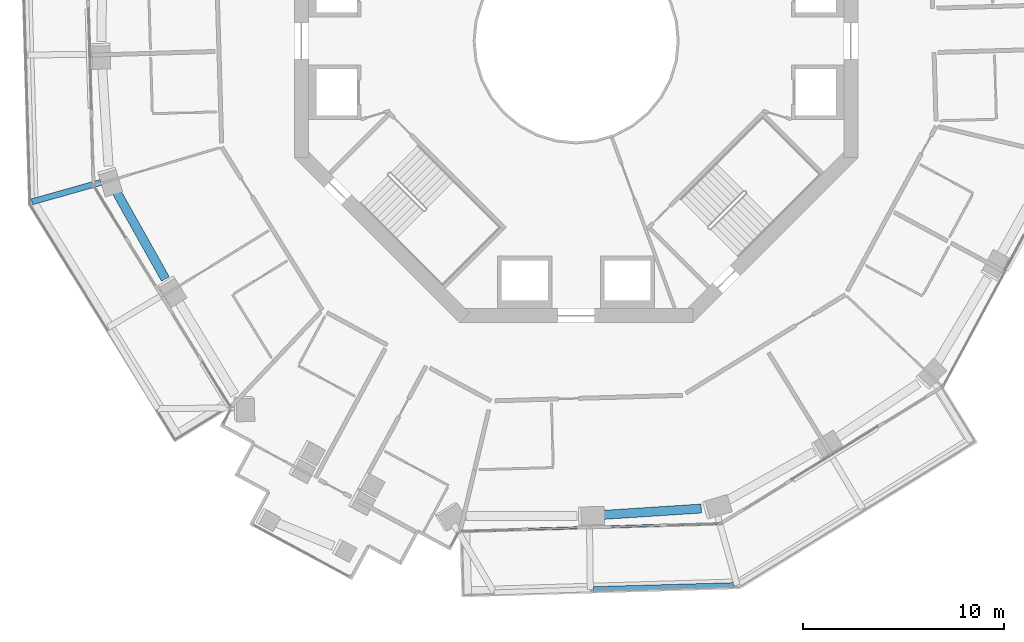
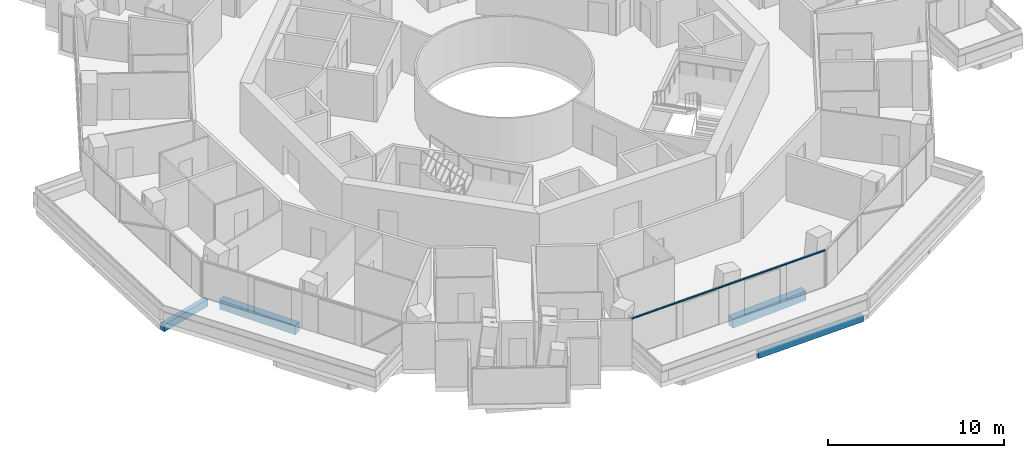
# One storey, part 3 of 22: 4 beams, 1 member, 1 element without a shape of its own.
"""IFC4 building model written with IfcOpenShell, lengths in metres."""

import ifcopenshell
import ifcopenshell.guid

model = None  # the IFC model being written
_history = None  # IfcOwnerHistory: only IFC2X3 demands one
_inside = {}  # id of a spatial element -> (the spatial element, [elements in it])
_under = {}  # id of a project, library or spatial element -> (it, [spatial elements below it])
_declared = {}  # id of a project -> (the project, [libraries it declares])
_typed = {}  # id of a type object -> (the type object, [elements of that type])
_made_of = {}  # id of a material, layer set ... -> (it, [elements and type objects made of it])


def new_model(schema):
    """Start an empty IFC model of exactly this schema.

    Asked for "IFC4X3", IfcOpenShell would pick the latest addendum, in which some entities
    have other attributes; the version numbers below select the first issue.
    IFC2X3 requires an IfcOwnerHistory on every rooted entity: one is made here for all.
    """
    global model, _history
    if schema == "IFC4X3":
        model = ifcopenshell.file(schema_version=(4, 3, 0, 0))
    else:
        model = ifcopenshell.file(schema=schema)
    _inside.clear()
    _under.clear()
    _declared.clear()
    _typed.clear()
    _made_of.clear()
    _history = None
    if model.schema == "IFC2X3":
        org = make("IfcOrganization", Name="unknown")
        user = make(
            "IfcPersonAndOrganization",
            ThePerson=make("IfcPerson", FamilyName="unknown"),
            TheOrganization=org,
        )
        app = make(
            "IfcApplication",
            ApplicationDeveloper=org,
            Version="unknown",
            ApplicationFullName="unknown",
            ApplicationIdentifier="unknown",
        )
        _history = make(
            "IfcOwnerHistory",
            OwningUser=user,
            OwningApplication=app,
            ChangeAction="ADDED",
            CreationDate=0,
        )
    return model


def make(cls, **values):
    """One entity of the class cls with the attributes given. An attribute that is None is left unset."""
    return model.create_entity(
        cls, **{name: value for name, value in values.items() if value is not None}
    )


def rooted(cls, **values):
    """An entity with a GlobalId (a new one), such as an element, a storey or a relation."""
    return make(cls, GlobalId=ifcopenshell.guid.new(), OwnerHistory=_history, **values)


def si_unit(unit_type, name, prefix=None):
    """IfcSIUnit, for example si_unit("LENGTHUNIT", "METRE", prefix="MILLI")."""
    return make("IfcSIUnit", UnitType=unit_type, Prefix=prefix, Name=name)


def assignment(units):
    """IfcUnitAssignment: the units of a project."""
    return None if units is None else make("IfcUnitAssignment", Units=units)


def point(xyz):
    """IfcCartesianPoint."""
    return None if xyz is None else make("IfcCartesianPoint", Coordinates=xyz)


def direction(xyz):
    """IfcDirection."""
    return None if xyz is None else make("IfcDirection", DirectionRatios=xyz)


def frame(location, z_axis=None, x_axis=None):
    """IfcAxis2Placement3D, a coordinate frame: its origin and axes. An axis left out is left unset."""
    return make(
        "IfcAxis2Placement3D",
        Location=point(location),
        Axis=direction(z_axis),
        RefDirection=direction(x_axis),
    )


def frame_2d(location, x_axis=None):
    """IfcAxis2Placement2D, a coordinate frame in the plane: its origin and x axis."""
    return make(
        "IfcAxis2Placement2D", Location=point(location), RefDirection=direction(x_axis)
    )


def origin():
    """The frame at (0, 0, 0) with its axes left unset."""
    return frame((0.0, 0.0, 0.0))


def origin_2d():
    """The frame at (0, 0) in the plane with its x axis left unset."""
    return frame_2d((0.0, 0.0))


def place(relative_to, where):
    """IfcLocalPlacement: puts the frame where relative to a parent placement (None: the world)."""
    return make(
        "IfcLocalPlacement", PlacementRelTo=relative_to, RelativePlacement=where
    )


def context(
    kind, dimensions, precision=None, world=None, true_north=None, identifier=None
):
    """IfcGeometricRepresentationContext, for example the 3D "Model" context."""
    return make(
        "IfcGeometricRepresentationContext",
        ContextIdentifier=identifier,
        ContextType=kind,
        CoordinateSpaceDimension=dimensions,
        Precision=precision,
        WorldCoordinateSystem=world,
        TrueNorth=true_north,
    )


def subcontext(parent, identifier, kind, view, scale=None):
    """IfcGeometricRepresentationSubContext, for example "Body" below "Model"."""
    return make(
        "IfcGeometricRepresentationSubContext",
        ContextIdentifier=identifier,
        ContextType=kind,
        ParentContext=parent,
        TargetScale=scale,
        TargetView=view,
    )


def project(units=None, contexts=None):
    """IfcProject with its units and contexts."""
    return rooted(
        "IfcProject",
        Name="project",
        RepresentationContexts=contexts,
        UnitsInContext=assignment(units),
    )


def spatial(cls, under=None, at=None, **own):
    """A site, building, storey or space (cls), placed at a placement, below another one or the project."""
    s = rooted(cls, ObjectPlacement=at, **own)
    if under is not None:
        _under.setdefault(under.id(), (under, []))[1].append(s)
    return s


def profile(cls, at=None, kind="AREA", **sizes):
    """A parametric profile (cls). Its sizes go by their IFC names, for example OverallWidth=200.0."""
    return make(cls, ProfileType=kind, Position=at, **sizes)


def rectangle(**sizes):
    """IfcRectangleProfileDef."""
    return profile("IfcRectangleProfileDef", **sizes)


def extrude(swept, where, along, depth):
    """IfcExtrudedAreaSolid: the profile swept, set in the frame where, extruded along a direction by depth."""
    return make(
        "IfcExtrudedAreaSolid",
        SweptArea=swept,
        Position=where,
        ExtrudedDirection=direction(along),
        Depth=depth,
    )


def shape(context_of_items, identifier, shape_type, items):
    """IfcShapeRepresentation: the items that make up one representation, for example the "Body"."""
    return make(
        "IfcShapeRepresentation",
        ContextOfItems=context_of_items,
        RepresentationIdentifier=identifier,
        RepresentationType=shape_type,
        Items=items,
    )


def material(Name=None, Category=None):
    """IfcMaterial."""
    return make("IfcMaterial", Name=Name, Category=Category)


def layer(
    of_material, thickness, ventilated=None, Name=None, Category=None, Priority=None
):
    """IfcMaterialLayer: one layer of a wall or slab, of a material (None: an air gap)."""
    return make(
        "IfcMaterialLayer",
        Material=of_material,
        LayerThickness=thickness,
        IsVentilated=ventilated,
        Name=Name,
        Category=Category,
        Priority=Priority,
    )


def layer_set(layers, Name=None):
    """IfcMaterialLayerSet."""
    return make("IfcMaterialLayerSet", MaterialLayers=layers, LayerSetName=Name)


def material_profile(
    of_material, cross_section, Name=None, Category=None, Priority=None
):
    """IfcMaterialProfile: a cross section and its material."""
    return make(
        "IfcMaterialProfile",
        Name=Name,
        Material=of_material,
        Profile=cross_section,
        Priority=Priority,
        Category=Category,
    )


def profile_set(profiles, Name=None, composite=None):
    """IfcMaterialProfileSet."""
    return make(
        "IfcMaterialProfileSet",
        Name=Name,
        MaterialProfiles=profiles,
        CompositeProfile=composite,
    )


def made_of(thing, what):
    """Note that an element or type object is made of a material, layer set ...; save() writes the relation."""
    if what is not None:
        _made_of.setdefault(what.id(), (what, []))[1].append(thing)
    return thing


def type_object(cls, material=None, **own):
    """A type object (cls), such as IfcWallType, which elements share."""
    return made_of(rooted(cls, **own), material)


def element(
    cls,
    number,
    at=None,
    inside=None,
    cuts=None,
    type_object=None,
    material=None,
    context=None,
    identifier="Body",
    shape_type=None,
    held_by="IfcProductDefinitionShape",
    body=None,
    shapes=None,
    **own,
):
    """One element of the class cls, such as IfcWall. Its Tag is "e" and its number.

    at: its placement. inside: the storey or other place that contains it. cuts: it is an
    opening in that element (IfcRelVoidsElement). A single representation is given by context,
    identifier, shape_type and body (its items); several are given by shapes. held_by: the class
    of the entity that holds the representations. save() writes the other relations.
    """
    e = rooted(cls, Tag="e%d" % number, ObjectPlacement=at, **own)
    if body is not None:
        shapes = [shape(context, identifier, shape_type, body)]
    if shapes is not None:
        e.Representation = make(held_by, Representations=shapes)
    if inside is not None:
        _inside.setdefault(inside.id(), (inside, []))[1].append(e)
    if cuts is not None:
        rooted(
            "IfcRelVoidsElement", RelatingBuildingElement=cuts, RelatedOpeningElement=e
        )
    if type_object is not None:
        _typed.setdefault(type_object.id(), (type_object, []))[1].append(e)
    return made_of(e, material)


def aggregate(whole, parts):
    """IfcRelAggregates: a whole, such as a stair, and the parts it consists of."""
    return rooted("IfcRelAggregates", RelatingObject=whole, RelatedObjects=parts)


def save(model, path):
    """Write the relations noted so far, then the file.

    IfcRelAggregates (storeys below a building ...), IfcRelContainedInSpatialStructure (elements
    in a storey), IfcRelDefinesByType, IfcRelAssociatesMaterial and IfcRelDeclares: one each for
    every whole, place, type object, material and project.
    """
    for whole, parts in _under.values():
        aggregate(whole, parts)
    for where, things in _inside.values():
        rooted(
            "IfcRelContainedInSpatialStructure",
            RelatedElements=things,
            RelatingStructure=where,
        )
    for kind, things in _typed.values():
        rooted("IfcRelDefinesByType", RelatedObjects=things, RelatingType=kind)
    for what, things in _made_of.values():
        rooted("IfcRelAssociatesMaterial", RelatedObjects=things, RelatingMaterial=what)
    for by, libraries in _declared.values():
        rooted("IfcRelDeclares", RelatingContext=by, RelatedDefinitions=libraries)
    model.write(path)


model = new_model("IFC4")

# Units and contexts
model_context = context("Model", 3, precision=1e-05, world=origin(), true_north=direction((0.0, 1.0)))
body_context = subcontext(model_context, "Body", "Model", "MODEL_VIEW")
ifc_project = project(units=[si_unit("LENGTHUNIT", "METRE"), si_unit("AREAUNIT", "SQUARE_METRE"), si_unit("VOLUMEUNIT", "CUBIC_METRE"), si_unit("PLANEANGLEUNIT", "RADIAN"), si_unit("MASSUNIT", "GRAM", prefix="KILO")], contexts=[model_context])

# Site, building, storey
site_placement = place(None, origin())
site = spatial("IfcSite", under=ifc_project, at=site_placement, CompositionType="ELEMENT")
building_placement = place(site_placement, origin())
building = spatial("IfcBuilding", under=site, at=building_placement, Name="Verdalira Terraces Hotel", CompositionType="ELEMENT")
storey_placement = place(building_placement, frame((0.0, 0.0, 162.0)))
storey = spatial("IfcBuildingStorey", under=building, at=storey_placement, Name="L39", CompositionType="ELEMENT", Elevation=162.0)

# Beams
ifc_material_1 = material(Name="Concrete C40", Category="concrete")
ifc_material_profile_1 = material_profile(ifc_material_1, rectangle(XDim=0.300049, YDim=0.5, at=origin_2d()), Name="RC 300X500")
ifc_profile_set_1 = profile_set([ifc_material_profile_1], Name="Concrete C40")
beam_type_1 = type_object("IfcBeamType", Name="Balcony cantilever beam RC 300X500 C40", PredefinedType="BEAM", material=ifc_profile_set_1)
beam_1_placement = place(storey_placement, frame((-23.61792, -7.031494, -0.560059), z_axis=(-0.962596689, -0.270938396, 0.0), x_axis=(0.270938396, -0.962596689, 0.0)))
element("IfcBeam", 1, at=beam_1_placement, inside=storey, type_object=beam_type_1, Name="Balcony cantilever beam R12-5", PredefinedType="BEAM", context=body_context, shape_type="SweptSolid", body=[
    extrude(rectangle(XDim=0.300049, YDim=0.5, at=origin_2d()), origin(), (0.0, 0.0, 1.0), 3.556641),
])
ifc_material_2 = material(Name="Concrete C40", Category="concrete")
ifc_material_profile_2 = material_profile(ifc_material_2, rectangle(XDim=0.25, YDim=0.449951, at=origin_2d()), Name="RC 250X450")
ifc_profile_set_2 = profile_set([ifc_material_profile_2], Name="Concrete C40")
beam_type_2 = type_object("IfcBeamType", Name="Balcony edge beam RC 250X450 C40", PredefinedType="BEAM", material=ifc_profile_set_2)
beam_2_placement = place(storey_placement, frame((0.852783, -27.245117, -0.534912), z_axis=(0.999593822, 0.028498954, 0.0), x_axis=(-0.028498954, 0.999593822, 0.0)))
element("IfcBeam", 2, at=beam_2_placement, inside=storey, type_object=beam_type_2, Name="Balcony edge beam R25-2", PredefinedType="BEAM", context=body_context, shape_type="SweptSolid", body=[
    extrude(rectangle(XDim=0.25, YDim=0.449951, at=origin_2d()), origin(), (0.0, 0.0, 1.0), 6.990479),
])

# Curtain wall, member
ifc_material_3 = material(Name="Clear glass", Category="glass")
ifc_layer = layer(ifc_material_3, 0.14990234375)
ifc_layer_set = layer_set([ifc_layer], Name="CW1 curtain wall")
curtain_wall_type = type_object("IfcCurtainWallType", Name="CW1 curtain wall", PredefinedType="NOTDEFINED", material=ifc_layer_set)
curtain_wall_placement = place(storey_placement, origin())
curtain_wall = element("IfcCurtainWall", 3, at=curtain_wall_placement, inside=storey, type_object=curtain_wall_type, Name="CW1 curtain wall L39 edge 25", PredefinedType="NOTDEFINED")
ifc_material_4 = material(Name="Terracotta frame", Category="masonry")
ifc_material_profile_3 = material_profile(ifc_material_4, rectangle(XDim=0.110107, YDim=0.064941, at=origin_2d()), Name="TR 65x110")
ifc_profile_set_3 = profile_set([ifc_material_profile_3], Name="Terracotta frame")
member_type = type_object("IfcMemberType", Name="CW1 transom 65x110", PredefinedType="USERDEFINED", material=ifc_profile_set_3)
member_placement = place(storey_placement, frame((-5.78833, -24.363525, 2.507568), z_axis=(0.999570307, 0.029312139, 0.0), x_axis=(-0.029312139, 0.999570307, 0.0)))
member = element("IfcMember", 4, at=member_placement, type_object=member_type, Name="CW1 transom", ObjectType="TRANSOM", PredefinedType="USERDEFINED", context=body_context, shape_type="SweptSolid", body=[
    extrude(rectangle(XDim=0.110107, YDim=0.064941, at=origin_2d()), origin(), (0.0, 0.0, 1.0), 12.959961),
])
aggregate(curtain_wall, [member])

# Beams
ifc_material_5 = material(Name="Concrete C50", Category="concrete")
ifc_material_profile_4 = material_profile(ifc_material_5, rectangle(XDim=0.449951, YDim=0.649902, at=origin_2d()), Name="RC 450X650")
ifc_profile_set_4 = profile_set([ifc_material_profile_4], Name="Concrete C50")
beam_type_3 = type_object("IfcBeamType", Name="Spandrel beam RC 450X650 C50", PredefinedType="SPANDREL", material=ifc_profile_set_4)
beam_3_placement = place(storey_placement, frame((-22.869873, -7.452881, -0.63501), z_axis=(0.489556185, -0.871971755, 0.0), x_axis=(0.871971755, 0.489556185, 0.0)))
element("IfcBeam", 5, at=beam_3_placement, inside=storey, type_object=beam_type_3, Name="Spandrel beam B06", PredefinedType="SPANDREL", context=body_context, shape_type="SweptSolid", body=[
    extrude(rectangle(XDim=0.449951, YDim=0.649902, at=origin_2d()), origin(), (0.0, 0.0, 1.0), 5.015381),
])
beam_4_placement = place(storey_placement, frame((1.216797, -23.561035, -0.63501), z_axis=(0.9979151, 0.064540319, 0.0), x_axis=(-0.064540319, 0.9979151, 0.0)))
element("IfcBeam", 6, at=beam_4_placement, inside=storey, type_object=beam_type_3, Name="Spandrel beam B10", PredefinedType="SPANDREL", context=body_context, shape_type="SweptSolid", body=[
    extrude(rectangle(XDim=0.449951, YDim=0.649902, at=origin_2d()), origin(), (0.0, 0.0, 1.0), 5.012207),
])

save(model, "model.ifc")
